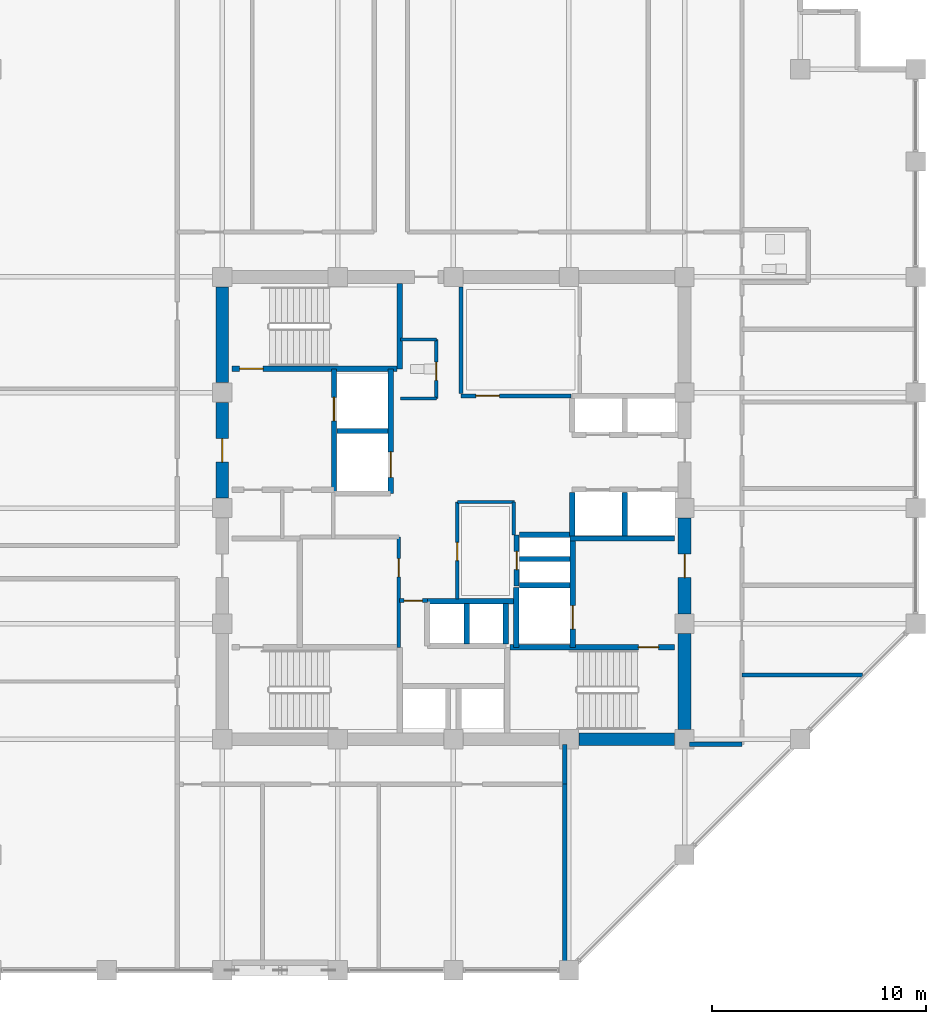
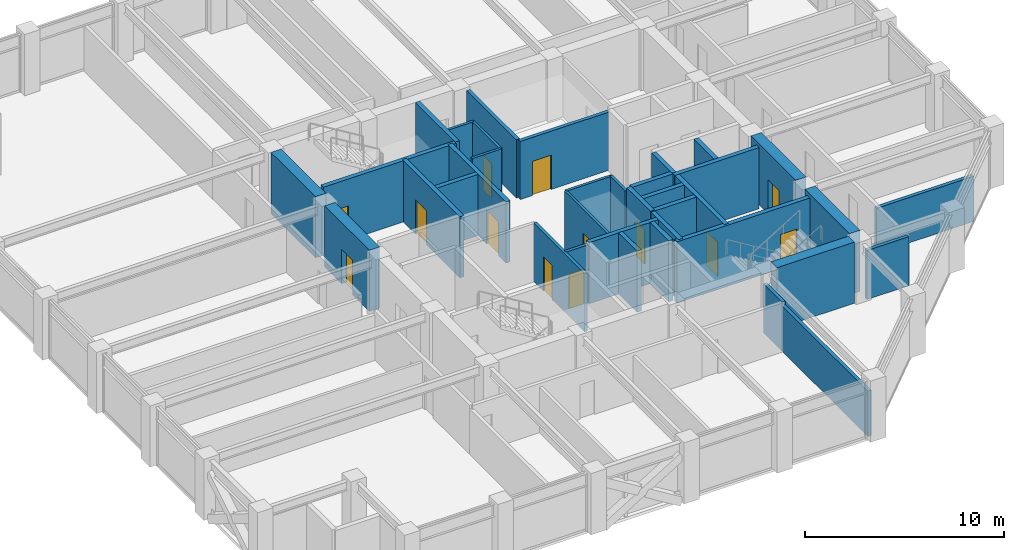
# One storey, part 28 of 32: 37 walls, 13 doors, 13 openings.
"""IFC4 building model written with IfcOpenShell, lengths in metres."""

from ifc_helpers import new_model, si_unit, direction, frame, frame_2d, origin, place, context, subcontext, project, spatial, rectangle, extrude, material, layer, layer_set, type_object, element, fill, save


model = new_model("IFC4")

# Units and contexts
model_context = context("Model", 3, precision=1e-05, world=origin(), true_north=direction((0.0, 1.0)))
body_context = subcontext(model_context, "Body", "Model", "MODEL_VIEW")
ifc_project = project(units=[si_unit("LENGTHUNIT", "METRE"), si_unit("AREAUNIT", "SQUARE_METRE"), si_unit("VOLUMEUNIT", "CUBIC_METRE"), si_unit("PLANEANGLEUNIT", "RADIAN"), si_unit("MASSUNIT", "GRAM", prefix="KILO")], contexts=[model_context])

# Site, building, storey
site_placement = place(None, origin())
site = spatial("IfcSite", under=ifc_project, at=site_placement, CompositionType="ELEMENT")
building_placement = place(site_placement, origin())
building = spatial("IfcBuilding", under=site, at=building_placement, Name="Surkhivell Harbour Commons", CompositionType="ELEMENT")
storey_placement = place(building_placement, frame((0.0, 0.0, 208.5)))
storey = spatial("IfcBuildingStorey", under=building, at=storey_placement, Name="L54", CompositionType="ELEMENT", Elevation=208.5)

# Wall
ifc_material_1 = material(Name="Concrete C60/75", Category="concrete")
ifc_layer_1 = layer(ifc_material_1, 0.60009765625)
ifc_layer_set_1 = layer_set([ifc_layer_1], Name="Concrete C60/75")
wall_type_1 = type_object("IfcWallType", Name="WAL-CORE-600", PredefinedType="SHEAR", material=ifc_layer_set_1)
wall_1_placement = place(storey_placement, frame((10.800048828125, -10.340087890625, 0.0), z_axis=(0.0, 0.0, 1.0), x_axis=(0.0, 1.0, 0.0)))
element("IfcWall", 1, at=wall_1_placement, inside=storey, type_object=wall_type_1, Name="L54 Core Shear Wall East 1", PredefinedType="SHEAR", context=body_context, shape_type="SweptSolid", body=[
    extrude(rectangle(XDim=4.47998046875, YDim=0.60009765625, at=frame_2d((2.239990234375, 0.0))), origin(), (0.0, 0.0, 1.0), 3.75),
])

# Wall, opening, door
wall_2_placement = place(storey_placement, frame((10.800048828125, -4.93994140625, 0.0), z_axis=(0.0, 0.0, 1.0), x_axis=(0.0, 1.0, 0.0)))
wall_2 = element("IfcWall", 2, at=wall_2_placement, inside=storey, type_object=wall_type_1, Name="L54 Core Shear Wall East 2", PredefinedType="SHEAR", context=body_context, shape_type="SweptSolid", body=[
    extrude(rectangle(XDim=4.47998046875, YDim=0.60009765625, at=frame_2d((2.239990234375, 0.0))), origin(), (0.0, 0.0, 1.0), 3.75),
])
opening_1_placement = place(wall_2_placement, frame((1.68994140625, 0.0, 0.0)))
opening_1 = element("IfcOpeningElement", 3, at=opening_1_placement, cuts=wall_2, Name="Opening ID-1", PredefinedType="OPENING", context=body_context, shape_type="SweptSolid", body=[
    extrude(rectangle(XDim=1.10009765625, YDim=2.10009765625, at=frame_2d((0.550048828125, 1.050048828125))), frame((0.0, 0.31005859375, 0.0), z_axis=(0.0, -1.0, 0.0), x_axis=(1.0, 0.0, 0.0)), (0.0, 0.0, 1.0), 0.6201171875),
])
ifc_material_2 = material(Name="Hardwood-veneered fire-rated door leaf", Category="wood")
door_type_1 = type_object("IfcDoorType", Name="DOR-FD120-1100", OperationType="NOTDEFINED", PredefinedType="DOOR", material=ifc_material_2)
door_1_placement = place(opening_1_placement, origin())
door_1 = element("IfcDoor", 4, at=door_1_placement, inside=storey, type_object=door_type_1, Name="L54 Firefighting Lobby 2 Corridor Door", OperationType="SINGLE_SWING_RIGHT", OverallHeight=2.10009765625, OverallWidth=1.10009765625, PredefinedType="DOOR", context=body_context, shape_type="SweptSolid", body=[
    extrude(rectangle(XDim=1.10009765625, YDim=2.10009765625, at=frame_2d((0.550048828125, 1.050048828125))), frame((0.0, 0.02490234375, 0.0), z_axis=(0.0, -1.0, 0.0), x_axis=(1.0, 0.0, 0.0)), (0.0, 0.0, 1.0), 0.050048828125),
])
fill(opening_1, door_1)

wall_3_placement = place(storey_placement, frame((-10.800048828125, 0.4599609375, 0.0), z_axis=(0.0, 0.0, 1.0), x_axis=(0.0, 1.0, 0.0)))
wall_3 = element("IfcWall", 5, at=wall_3_placement, inside=storey, type_object=wall_type_1, Name="L54 Core Shear Wall West 3", PredefinedType="SHEAR", context=body_context, shape_type="SweptSolid", body=[
    extrude(rectangle(XDim=4.47998046875, YDim=0.60009765625, at=frame_2d((2.239990234375, 0.0))), origin(), (0.0, 0.0, 1.0), 3.75),
])
opening_2_placement = place(wall_3_placement, frame((1.68994140625, 0.0, 0.0)))
opening_2 = element("IfcOpeningElement", 6, at=opening_2_placement, cuts=wall_3, Name="Opening ID-1", PredefinedType="OPENING", context=body_context, shape_type="SweptSolid", body=[
    extrude(rectangle(XDim=1.10009765625, YDim=2.10009765625, at=frame_2d((0.550048828125, 1.050048828125))), frame((0.0, 0.31005859375, 0.0), z_axis=(0.0, -1.0, 0.0), x_axis=(1.0, 0.0, 0.0)), (0.0, 0.0, 1.0), 0.6201171875),
])
door_2_placement = place(opening_2_placement, origin())
door_2 = element("IfcDoor", 7, at=door_2_placement, inside=storey, type_object=door_type_1, Name="L54 Firefighting Lobby 1 Corridor Door", OperationType="SINGLE_SWING_LEFT", OverallHeight=2.10009765625, OverallWidth=1.10009765625, PredefinedType="DOOR", context=body_context, shape_type="SweptSolid", body=[
    extrude(rectangle(XDim=1.10009765625, YDim=2.10009765625, at=frame_2d((0.550048828125, 1.050048828125))), frame((0.0, 0.02490234375, 0.0), z_axis=(0.0, -1.0, 0.0), x_axis=(1.0, 0.0, 0.0)), (0.0, 0.0, 1.0), 0.050048828125),
])
fill(opening_2, door_2)

# Walls
for number, where, z_axis, x_axis, name in (
    (8, (5.860107421875, -10.800048828125, 0.0), (0.0, 0.0, 1.0), (1.0, 0.0, 0.0), "L54 Core Shear Wall South 4"),
    (9, (-10.800048828125, 5.860107421875, 0.0), (0.0, 0.0, 1.0), (0.0, 1.0, 0.0), "L54 Core Shear Wall West 4"),
):
    element("IfcWall", number, at=place(storey_placement, frame(where, z_axis=z_axis, x_axis=x_axis)), inside=storey, type_object=wall_type_1, Name=name, PredefinedType="SHEAR", context=body_context, shape_type="SweptSolid", body=[
        extrude(rectangle(XDim=4.47998046875, YDim=0.60009765625, at=frame_2d((2.239990234375, 0.0))), origin(), (0.0, 0.0, 1.0), 3.75),
    ])

# Wall, opening, door
ifc_material_3 = material(Name="Twin-stud acoustic fireboard partition", Category="other")
ifc_layer_2 = layer(ifc_material_3, 0.14990234375)
ifc_layer_set_2 = layer_set([ifc_layer_2], Name="Twin-stud acoustic fireboard partition")
wall_type_2 = type_object("IfcWallType", Name="WAL-INT-150", PredefinedType="PARTITIONING", material=ifc_layer_set_2)
wall_4_placement = place(storey_placement, frame((-0.800048828125, 5.1201171875, 0.0), z_axis=(0.0, 0.0, 1.0), x_axis=(0.0, 1.0, 0.0)))
wall_4 = element("IfcWall", 10, at=wall_4_placement, inside=storey, type_object=wall_type_2, Name="L54 Core Accessible WC East Wall", PredefinedType="PARTITIONING", context=body_context, shape_type="SweptSolid", body=[
    extrude(rectangle(XDim=2.759765625, YDim=0.14990234375, at=frame_2d((1.3798828125, 0.0))), origin(), (0.0, 0.0, 1.0), 3.570068359375),
])
opening_3_placement = place(wall_4_placement, frame((0.85009765625, 0.0, 0.0)))
opening_3 = element("IfcOpeningElement", 11, at=opening_3_placement, cuts=wall_4, Name="Opening ID-6", PredefinedType="OPENING", context=body_context, shape_type="SweptSolid", body=[
    extrude(rectangle(XDim=0.85009765625, YDim=2.10009765625, at=frame_2d((0.425048828125, 1.050048828125))), frame((0.0, 0.0849609375, 0.0), z_axis=(0.0, -1.0, 0.0), x_axis=(1.0, 0.0, 0.0)), (0.0, 0.0, 1.0), 0.169921875),
])
door_type_2 = type_object("IfcDoorType", Name="DOR-FD30-850", OperationType="NOTDEFINED", PredefinedType="DOOR", material=ifc_material_2)
door_3_placement = place(opening_3_placement, origin())
door_3 = element("IfcDoor", 12, at=door_3_placement, inside=storey, type_object=door_type_2, Name="L54 Floor Accessible WC Door", OperationType="SINGLE_SWING_LEFT", OverallHeight=2.10009765625, OverallWidth=0.85009765625, PredefinedType="DOOR", context=body_context, shape_type="SweptSolid", body=[
    extrude(rectangle(XDim=0.85009765625, YDim=2.10009765625, at=frame_2d((0.425048828125, 1.050048828125))), frame((0.0, 0.02490234375, 0.0), z_axis=(0.0, -1.0, 0.0), x_axis=(1.0, 0.0, 0.0)), (0.0, 0.0, 1.0), 0.050048828125),
])
fill(opening_3, door_3)

# Walls
for number, where, z_axis, x_axis, name in (
    (13, (-2.47998046875, 7.8798828125, 0.0), (0.0, 0.0, 1.0), (1.0, 0.0, 0.0), "L54 Core Accessible WC North Wall"),
    (14, (-2.47998046875, 5.1201171875, 0.0), (0.0, 0.0, 1.0), (1.0, 0.0, 0.0), "L54 Core Accessible WC South Wall"),
):
    element("IfcWall", number, at=place(storey_placement, frame(where, z_axis=z_axis, x_axis=x_axis)), inside=storey, type_object=wall_type_2, Name=name, PredefinedType="PARTITIONING", context=body_context, shape_type="SweptSolid", body=[
        extrude(rectangle(XDim=1.679931640625, YDim=0.14990234375, at=frame_2d((0.83984375, 0.0))), origin(), (0.0, 0.0, 1.0), 3.570068359375),
    ])
wall_5_placement = place(storey_placement, frame((2.820068359375, -1.25, 0.0), z_axis=(0.0, 0.0, 1.0), x_axis=(0.0, 1.0, 0.0)))
element("IfcWall", 15, at=wall_5_placement, inside=storey, type_object=wall_type_2, Name="L54 Central Music East Wall", PredefinedType="PARTITIONING", context=body_context, shape_type="SweptSolid", body=[
    extrude(rectangle(XDim=1.530029296875, YDim=0.14990234375, at=frame_2d((0.76513671875, 0.0))), origin(), (0.0, 0.0, 1.0), 3.570068359375),
])
wall_6_placement = place(storey_placement, frame((0.179931640625, 0.280029296875, 0.0), z_axis=(0.0, 0.0, 1.0), x_axis=(1.0, 0.0, 0.0)))
element("IfcWall", 16, at=wall_6_placement, inside=storey, type_object=wall_type_2, Name="L54 Central Music North Wall", PredefinedType="PARTITIONING", context=body_context, shape_type="SweptSolid", body=[
    extrude(rectangle(XDim=2.670166015625, YDim=0.14990234375, at=frame_2d((1.3349609375, 0.0))), origin(), (0.0, 0.0, 1.0), 3.570068359375),
])

# Wall, opening, door
wall_7_placement = place(storey_placement, frame((0.179931640625, -4.25, 0.0), z_axis=(0.0, 0.0, 1.0), x_axis=(0.0, 1.0, 0.0)))
wall_7 = element("IfcWall", 17, at=wall_7_placement, inside=storey, type_object=wall_type_2, Name="L54 Central Music West Wall", PredefinedType="PARTITIONING", context=body_context, shape_type="SweptSolid", body=[
    extrude(rectangle(XDim=4.530029296875, YDim=0.14990234375, at=frame_2d((2.26513671875, 0.0))), origin(), (0.0, 0.0, 1.0), 3.570068359375),
])
opening_4_placement = place(wall_7_placement, frame((1.800048828125, 0.0, 0.0)))
opening_4 = element("IfcOpeningElement", 18, at=opening_4_placement, cuts=wall_7, Name="Opening ID-6", PredefinedType="OPENING", context=body_context, shape_type="SweptSolid", body=[
    extrude(rectangle(XDim=0.85009765625, YDim=2.10009765625, at=frame_2d((0.425048828125, 1.050048828125))), frame((0.0, 0.0849609375, 0.0), z_axis=(0.0, -1.0, 0.0), x_axis=(1.0, 0.0, 0.0)), (0.0, 0.0, 1.0), 0.169921875),
])
door_4_placement = place(opening_4_placement, origin())
door_4 = element("IfcDoor", 19, at=door_4_placement, inside=storey, type_object=door_type_2, Name="L54 Central Music Door", OperationType="SINGLE_SWING_RIGHT", OverallHeight=2.10009765625, OverallWidth=0.85009765625, PredefinedType="DOOR", context=body_context, shape_type="SweptSolid", body=[
    extrude(rectangle(XDim=0.85009765625, YDim=2.10009765625, at=frame_2d((0.425048828125, 1.050048828125))), frame((0.0, 0.02490234375, 0.0), z_axis=(0.0, -1.0, 0.0), x_axis=(1.0, 0.0, 0.0)), (0.0, 0.0, 1.0), 0.050048828125),
])
fill(opening_4, door_4)

ifc_material_4 = material(Name="High-density acoustic blockwork fire partition", Category="masonry")
ifc_layer_3 = layer(ifc_material_4, 0.175048828125)
ifc_layer_set_3 = layer_set([ifc_layer_3], Name="High-density acoustic blockwork fire partition")
wall_type_3 = type_object("IfcWallType", Name="WAL-INT-175", PredefinedType="PARTITIONING", material=ifc_layer_set_3)
wall_8_placement = place(storey_placement, frame((-2.550048828125, -6.510009765625, 0.0), z_axis=(0.0, 0.0, 1.0), x_axis=(0.0, 1.0, 0.0)))
wall_8 = element("IfcWall", 20, at=wall_8_placement, inside=storey, type_object=wall_type_3, Name="L54 Core Service Bay East Wall", PredefinedType="PARTITIONING", context=body_context, shape_type="SweptSolid", body=[
    extrude(rectangle(XDim=5.159912109375, YDim=0.175048828125, at=frame_2d((2.580078125, 0.0))), origin(), (0.0, 0.0, 1.0), 3.570068359375),
])
opening_5_placement = place(wall_8_placement, frame((3.300048828125, 0.0, 0.0)))
opening_5 = element("IfcOpeningElement", 21, at=opening_5_placement, cuts=wall_8, Name="Opening ID-6", PredefinedType="OPENING", context=body_context, shape_type="SweptSolid", body=[
    extrude(rectangle(XDim=0.85009765625, YDim=2.10009765625, at=frame_2d((0.425048828125, 1.050048828125))), frame((0.0, 0.097412109375, 0.0), z_axis=(0.0, -1.0, 0.0), x_axis=(1.0, 0.0, 0.0)), (0.0, 0.0, 1.0), 0.195068359375),
])
door_5_placement = place(opening_5_placement, origin())
door_5 = element("IfcDoor", 22, at=door_5_placement, inside=storey, type_object=door_type_2, Name="L54 Core Quiet Reading Door", OperationType="SINGLE_SWING_RIGHT", OverallHeight=2.10009765625, OverallWidth=0.85009765625, PredefinedType="DOOR", context=body_context, shape_type="SweptSolid", body=[
    extrude(rectangle(XDim=0.85009765625, YDim=2.10009765625, at=frame_2d((0.425048828125, 1.050048828125))), frame((0.0, 0.02490234375, 0.0), z_axis=(0.0, -1.0, 0.0), x_axis=(1.0, 0.0, 0.0)), (0.0, 0.0, 1.0), 0.050048828125),
])
fill(opening_5, door_5)

wall_9_placement = place(storey_placement, frame((-2.52001953125, -4.320068359375, 0.0), z_axis=(0.0, 0.0, 1.0), x_axis=(1.0, 0.0, 0.0)))
wall_9 = element("IfcWall", 23, at=wall_9_placement, inside=storey, type_object=wall_type_3, Name="L54 High-Rise Lobby North Portal Wall", PredefinedType="PARTITIONING", context=body_context, shape_type="SweptSolid", body=[
    extrude(rectangle(XDim=1.300048828125, YDim=0.175048828125, at=frame_2d((0.64990234375, 0.0))), origin(), (0.0, 0.0, 1.0), 3.570068359375),
])
opening_6_placement = place(wall_9_placement, frame((0.219970703125, 0.0, 0.0)))
opening_6 = element("IfcOpeningElement", 24, at=opening_6_placement, cuts=wall_9, Name="Opening ID-6", PredefinedType="OPENING", context=body_context, shape_type="SweptSolid", body=[
    extrude(rectangle(XDim=0.85009765625, YDim=2.10009765625, at=frame_2d((0.425048828125, 1.050048828125))), frame((0.0, 0.097412109375, 0.0), z_axis=(0.0, -1.0, 0.0), x_axis=(1.0, 0.0, 0.0)), (0.0, 0.0, 1.0), 0.195068359375),
])
door_6_placement = place(opening_6_placement, origin())
door_6 = element("IfcDoor", 25, at=door_6_placement, inside=storey, type_object=door_type_2, Name="L54 High-Rise Lift Lobby North Door", OperationType="SINGLE_SWING_LEFT", OverallHeight=2.10009765625, OverallWidth=0.85009765625, PredefinedType="DOOR", context=body_context, shape_type="SweptSolid", body=[
    extrude(rectangle(XDim=0.85009765625, YDim=2.10009765625, at=frame_2d((0.425048828125, 1.050048828125))), frame((0.0, 0.02490234375, 0.0), z_axis=(0.0, -1.0, 0.0), x_axis=(1.0, 0.0, 0.0)), (0.0, 0.0, 1.0), 0.050048828125),
])
fill(opening_6, door_6)

ifc_material_5 = material(Name="Autoclaved aerated concrete blockwork and fire plaster", Category="masonry")
ifc_layer_4 = layer(ifc_material_5, 0.199951171875)
ifc_layer_set_4 = layer_set([ifc_layer_4], Name="Autoclaved aerated concrete blockwork and fire plaster")
wall_type_4 = type_object("IfcWallType", Name="WAL-INT-200", PredefinedType="PARTITIONING", material=ifc_layer_set_4)
wall_10_placement = place(storey_placement, frame((0.35009765625, 5.239990234375, 0.0), z_axis=(0.0, 0.0, 1.0), x_axis=(1.0, 0.0, 0.0)))
wall_10 = element("IfcWall", 26, at=wall_10_placement, inside=storey, type_object=wall_type_4, Name="L54 Reclaimed Core North Bay South Wall", PredefinedType="PARTITIONING", context=body_context, shape_type="SweptSolid", body=[
    extrude(rectangle(XDim=5.14990234375, YDim=0.199951171875, at=frame_2d((2.574951171875, 0.0))), origin(), (0.0, 0.0, 1.0), 3.570068359375),
])
opening_7_placement = place(wall_10_placement, frame((0.699951171875, 0.0, 0.0)))
opening_7 = element("IfcOpeningElement", 27, at=opening_7_placement, cuts=wall_10, Name="Opening ID-2", PredefinedType="OPENING", context=body_context, shape_type="SweptSolid", body=[
    extrude(rectangle(XDim=1.10009765625, YDim=2.10009765625, at=frame_2d((0.550048828125, 1.050048828125))), frame((0.0, 0.10986328125, 0.0), z_axis=(0.0, -1.0, 0.0), x_axis=(1.0, 0.0, 0.0)), (0.0, 0.0, 1.0), 0.219970703125),
])
door_type_3 = type_object("IfcDoorType", Name="DOR-FD60-1100", OperationType="NOTDEFINED", PredefinedType="DOOR", material=ifc_material_2)
door_7_placement = place(opening_7_placement, origin())
door_7 = element("IfcDoor", 28, at=door_7_placement, inside=storey, type_object=door_type_3, Name="L54 Core Seminar Door", OperationType="SINGLE_SWING_LEFT", OverallHeight=2.10009765625, OverallWidth=1.10009765625, PredefinedType="DOOR", context=body_context, shape_type="SweptSolid", body=[
    extrude(rectangle(XDim=1.10009765625, YDim=2.10009765625, at=frame_2d((0.550048828125, 1.050048828125))), frame((0.0, 0.02490234375, 0.0), z_axis=(0.0, -1.0, 0.0), x_axis=(1.0, 0.0, 0.0)), (0.0, 0.0, 1.0), 0.050048828125),
])
fill(opening_7, door_7)

# Walls
wall_11_placement = place(storey_placement, frame((0.35009765625, 5.360107421875, 0.0), z_axis=(0.0, 0.0, 1.0), x_axis=(0.0, 1.0, 0.0)))
element("IfcWall", 29, at=wall_11_placement, inside=storey, type_object=wall_type_4, Name="L54 Reclaimed Core North Bay West Wall", PredefinedType="PARTITIONING", context=body_context, shape_type="SweptSolid", body=[
    extrude(rectangle(XDim=4.97998046875, YDim=0.199951171875, at=frame_2d((2.489990234375, 0.0))), origin(), (0.0, 0.0, 1.0), 3.570068359375),
])
wall_12_placement = place(storey_placement, frame((5.199951171875, -21.5400390625, 0.0), z_axis=(0.0, 0.0, 1.0), x_axis=(0.0, 1.0, 0.0)))
element("IfcWall", 30, at=wall_12_placement, inside=storey, type_object=wall_type_4, Name="L54 South-East Corner Wall", PredefinedType="PARTITIONING", context=body_context, shape_type="SweptSolid", body=[
    extrude(rectangle(XDim=8.64013671875, YDim=0.199951171875, at=frame_2d((4.320068359375, 0.0))), origin(), (0.0, 0.0, 1.0), 2.780029296875),
])
wall_13_placement = place(storey_placement, frame((11.0400390625, -11.0400390625, 0.0), z_axis=(0.0, 0.0, 1.0), x_axis=(1.0, 0.0, 0.0)))
element("IfcWall", 31, at=wall_13_placement, inside=storey, type_object=wall_type_4, Name="L54 Corridor East South Closure Wall", PredefinedType="PARTITIONING", context=body_context, shape_type="SweptSolid", body=[
    extrude(rectangle(XDim=2.43994140625, YDim=0.199951171875, at=frame_2d((1.219970703125, 0.0))), origin(), (0.0, 0.0, 1.0), 3.006103515625),
])
wall_14_placement = place(storey_placement, frame((5.199951171875, -12.89990234375, 0.0), z_axis=(0.0, 0.0, 1.0), x_axis=(0.0, 1.0, 0.0)))
element("IfcWall", 32, at=wall_14_placement, inside=storey, type_object=wall_type_4, Name="L54 Corridor South End Wall", PredefinedType="PARTITIONING", context=body_context, shape_type="SweptSolid", body=[
    extrude(rectangle(XDim=1.85986328125, YDim=0.199951171875, at=frame_2d((0.929931640625, 0.0))), origin(), (0.0, 0.0, 1.0), 3.006103515625),
])
wall_15_placement = place(storey_placement, frame((13.47998046875, -7.800048828125, 0.0), z_axis=(0.0, 0.0, 1.0), x_axis=(1.0, 0.0, 0.0)))
element("IfcWall", 33, at=wall_15_placement, inside=storey, type_object=wall_type_4, Name="L54 East Partition PBOT", PredefinedType="PARTITIONING", context=body_context, shape_type="SweptSolid", body=[
    extrude(rectangle(XDim=5.63525390625, YDim=0.199951171875, at=frame_2d((2.817626953125, 0.0))), origin(), (0.0, 0.0, 1.0), 2.780029296875),
])

# Wall, opening, door
ifc_material_6 = material(Name="Concrete C50/60", Category="concrete")
ifc_layer_5 = layer(ifc_material_6, 0.25)
ifc_layer_set_5 = layer_set([ifc_layer_5], Name="Concrete C50/60")
wall_type_5 = type_object("IfcWallType", Name="WAL-SHAFT-250", PredefinedType="SHEAR", material=ifc_layer_set_5)
wall_16_placement = place(storey_placement, frame((-5.580078125, 0.719970703125, 0.0), z_axis=(0.0, 0.0, 1.0), x_axis=(0.0, 1.0, 0.0)))
wall_16 = element("IfcWall", 34, at=wall_16_placement, inside=storey, type_object=wall_type_5, Name="L54 Firefighting Lobby 1 East Shaft Wall", PredefinedType="SHEAR", context=body_context, shape_type="SweptSolid", body=[
    extrude(rectangle(XDim=5.7900390625, YDim=0.25, at=frame_2d((2.89501953125, 0.0))), origin(), (0.0, 0.0, 1.0), 3.75),
])
opening_8_placement = place(wall_16_placement, frame((3.35009765625, 0.0, 0.0)))
opening_8 = element("IfcOpeningElement", 35, at=opening_8_placement, cuts=wall_16, Name="Opening LD-1", PredefinedType="OPENING", context=body_context, shape_type="SweptSolid", body=[
    extrude(rectangle(XDim=1.10009765625, YDim=2.10009765625, at=frame_2d((0.550048828125, 1.050048828125))), frame((0.0, 0.135009765625, 0.0), z_axis=(0.0, -1.0, 0.0), x_axis=(1.0, 0.0, 0.0)), (0.0, 0.0, 1.0), 0.27001953125),
])
ifc_material_7 = material(Name="Brushed stainless steel S355", Category="steel")
door_type_4 = type_object("IfcDoorType", Name="DOR-LD-1100", OperationType="SLIDING_TO_LEFT", PredefinedType="DOOR", material=ifc_material_7)
door_8_placement = place(opening_8_placement, origin())
door_8 = element("IfcDoor", 36, at=door_8_placement, inside=storey, type_object=door_type_4, Name="L54 Lift Landing Door LD-FFL1", OperationType="SLIDING_TO_LEFT", OverallHeight=2.10009765625, OverallWidth=1.10009765625, PredefinedType="DOOR", context=body_context, shape_type="SweptSolid", body=[
    extrude(rectangle(XDim=1.10009765625, YDim=2.10009765625, at=frame_2d((0.550048828125, 1.050048828125))), frame((0.0, 0.02490234375, 0.0), z_axis=(0.0, -1.0, 0.0), x_axis=(1.0, 0.0, 0.0)), (0.0, 0.0, 1.0), 0.050048828125),
])
fill(opening_8, door_8)

# Walls
wall_17_placement = place(storey_placement, frame((2.929931640625, -6.510009765625, 0.0), z_axis=(0.0, 0.0, 1.0), x_axis=(0.0, 1.0, 0.0)))
element("IfcWall", 37, at=wall_17_placement, inside=storey, type_object=wall_type_5, Name="L54 FFL2 West Shaft Wall", PredefinedType="SHEAR", context=body_context, shape_type="SweptSolid", body=[
    extrude(rectangle(XDim=2.7900390625, YDim=0.25, at=frame_2d((1.39501953125, 0.0))), origin(), (0.0, 0.0, 1.0), 3.75),
])
wall_18_placement = place(storey_placement, frame((5.43994140625, -1.419921875, 0.0), z_axis=(0.0, 0.0, 1.0), x_axis=(1.0, 0.0, 0.0)))
element("IfcWall", 38, at=wall_18_placement, inside=storey, type_object=wall_type_5, Name="L54 Firefighting Lobby 2 North Wall", PredefinedType="SHEAR", context=body_context, shape_type="SweptSolid", body=[
    extrude(rectangle(XDim=4.900146484375, YDim=0.25, at=frame_2d((2.4501953125, 0.0))), origin(), (0.0, 0.0, 1.0), 3.75),
])
wall_19_placement = place(storey_placement, frame((3.080078125, -3.60009765625, 0.0), z_axis=(0.0, 0.0, 1.0), x_axis=(1.0, 0.0, 0.0)))
element("IfcWall", 39, at=wall_19_placement, inside=storey, type_object=wall_type_5, Name="L54 FFL2 North Shaft Wall", PredefinedType="SHEAR", context=body_context, shape_type="SweptSolid", body=[
    extrude(rectangle(XDim=2.369873046875, YDim=0.25, at=frame_2d((1.18505859375, 0.0))), origin(), (0.0, 0.0, 1.0), 3.75),
])

# Wall, opening, door
wall_20_placement = place(storey_placement, frame((5.580078125, -6.510009765625, 0.0), z_axis=(0.0, 0.0, 1.0), x_axis=(0.0, 1.0, 0.0)))
wall_20 = element("IfcWall", 40, at=wall_20_placement, inside=storey, type_object=wall_type_5, Name="L54 Firefighting Lobby 2 West Shaft Wall", PredefinedType="SHEAR", context=body_context, shape_type="SweptSolid", body=[
    extrude(rectangle(XDim=5.090087890625, YDim=0.25, at=frame_2d((2.544921875, 0.0))), origin(), (0.0, 0.0, 1.0), 3.75),
])
opening_9_placement = place(wall_20_placement, frame((0.85009765625, 0.0, 0.0)))
opening_9 = element("IfcOpeningElement", 41, at=opening_9_placement, cuts=wall_20, Name="Opening LD-1", PredefinedType="OPENING", context=body_context, shape_type="SweptSolid", body=[
    extrude(rectangle(XDim=1.10009765625, YDim=2.10009765625, at=frame_2d((0.550048828125, 1.050048828125))), frame((0.0, 0.135009765625, 0.0), z_axis=(0.0, -1.0, 0.0), x_axis=(1.0, 0.0, 0.0)), (0.0, 0.0, 1.0), 0.27001953125),
])
door_9_placement = place(opening_9_placement, origin())
door_9 = element("IfcDoor", 42, at=door_9_placement, inside=storey, type_object=door_type_4, Name="L54 Lift Landing Door LD-FFL2", OperationType="SLIDING_TO_RIGHT", OverallHeight=2.10009765625, OverallWidth=1.10009765625, PredefinedType="DOOR", context=body_context, shape_type="SweptSolid", body=[
    extrude(rectangle(XDim=1.10009765625, YDim=2.10009765625, at=frame_2d((0.550048828125, 1.050048828125))), frame((0.0, 0.02490234375, 0.0), z_axis=(0.0, -1.0, 0.0), x_axis=(1.0, 0.0, 0.0)), (0.0, 0.0, 1.0), 0.050048828125),
])
fill(opening_9, door_9)

# Walls
for number, where, z_axis, x_axis, name in (
    (43, (0.6201171875, -6.340087890625, 0.0), (0.0, 0.0, 1.0), (0.0, 1.0, 0.0), "L54 High-Rise Side Wall N"),
    (44, (2.449951171875, -6.340087890625, 0.0), (0.0, 0.0, 1.0), (0.0, 1.0, 0.0), "L54 High-Rise Side Wall N"),
):
    element("IfcWall", number, at=place(storey_placement, frame(where, z_axis=z_axis, x_axis=x_axis)), inside=storey, type_object=wall_type_5, Name=name, PredefinedType="SHEAR", context=body_context, shape_type="SweptSolid", body=[
        extrude(rectangle(XDim=1.880126953125, YDim=0.25, at=frame_2d((0.93994140625, 0.0))), origin(), (0.0, 0.0, 1.0), 3.75),
    ])
wall_21_placement = place(storey_placement, frame((-1.219970703125, -4.360107421875, 0.0), z_axis=(0.0, 0.0, 1.0), x_axis=(1.0, 0.0, 0.0)))
element("IfcWall", 45, at=wall_21_placement, inside=storey, type_object=wall_type_5, Name="L54 High-Rise North Back Shaft Wall", PredefinedType="SHEAR", context=body_context, shape_type="SweptSolid", body=[
    extrude(rectangle(XDim=4.030029296875, YDim=0.25, at=frame_2d((2.01513671875, 0.0))), origin(), (0.0, 0.0, 1.0), 3.75),
])
for number, where, z_axis, x_axis, name in (
    (46, (5.550048828125, -1.300048828125, 0.0), (0.0, 0.0, 1.0), (0.0, 1.0, 0.0), "L54 Mid-Rise Shaft Side Wall S"),
    (47, (8.0, -1.300048828125, 0.0), (0.0, 0.0, 1.0), (0.0, 1.0, 0.0), "L54 Mid-Rise Shaft Side Wall S"),
):
    element("IfcWall", number, at=place(storey_placement, frame(where, z_axis=z_axis, x_axis=x_axis)), inside=storey, type_object=wall_type_5, Name=name, PredefinedType="SHEAR", context=body_context, shape_type="SweptSolid", body=[
        extrude(rectangle(XDim=2.0400390625, YDim=0.25, at=frame_2d((1.02001953125, 0.0))), origin(), (0.0, 0.0, 1.0), 3.75),
    ])
for number, where, z_axis, x_axis, name in (
    (48, (3.080078125, -2.3798828125, 0.0), (0.0, 0.0, 1.0), (1.0, 0.0, 0.0), "L54 Riser Divider Wall"),
    (49, (3.080078125, -1.25, 0.0), (0.0, 0.0, 1.0), (1.0, 0.0, 0.0), "L54 Riser North Wall"),
):
    element("IfcWall", number, at=place(storey_placement, frame(where, z_axis=z_axis, x_axis=x_axis)), inside=storey, type_object=wall_type_5, Name=name, PredefinedType="SHEAR", context=body_context, shape_type="SweptSolid", body=[
        extrude(rectangle(XDim=2.369873046875, YDim=0.25, at=frame_2d((1.18505859375, 0.0))), origin(), (0.0, 0.0, 1.0), 3.75),
    ])

# Wall, opening, door
wall_22_placement = place(storey_placement, frame((2.949951171875, -3.64990234375, 0.0), z_axis=(0.0, 0.0, 1.0), x_axis=(0.0, 1.0, 0.0)))
wall_22 = element("IfcWall", 50, at=wall_22_placement, inside=storey, type_object=wall_type_5, Name="L54 Riser Shaft West Wall", PredefinedType="SHEAR", context=body_context, shape_type="SweptSolid", body=[
    extrude(rectangle(XDim=2.39990234375, YDim=0.25, at=frame_2d((1.199951171875, 0.0))), origin(), (0.0, 0.0, 1.0), 3.75),
])
opening_10_placement = place(wall_22_placement, frame((0.77490234375, 0.0, 0.0)))
opening_10 = element("IfcOpeningElement", 51, at=opening_10_placement, cuts=wall_22, Name="Opening ID-6", PredefinedType="OPENING", context=body_context, shape_type="SweptSolid", body=[
    extrude(rectangle(XDim=0.85009765625, YDim=2.10009765625, at=frame_2d((0.425048828125, 1.050048828125))), frame((0.0, 0.135009765625, 0.0), z_axis=(0.0, -1.0, 0.0), x_axis=(1.0, 0.0, 0.0)), (0.0, 0.0, 1.0), 0.27001953125),
])
door_10_placement = place(opening_10_placement, origin())
door_10 = element("IfcDoor", 52, at=door_10_placement, inside=storey, type_object=door_type_2, Name="L54 Electrical Riser Access Door", OperationType="SINGLE_SWING_LEFT", OverallHeight=2.10009765625, OverallWidth=0.85009765625, PredefinedType="DOOR", context=body_context, shape_type="SweptSolid", body=[
    extrude(rectangle(XDim=0.85009765625, YDim=2.10009765625, at=frame_2d((0.425048828125, 1.050048828125))), frame((0.0, 0.02490234375, 0.0), z_axis=(0.0, -1.0, 0.0), x_axis=(1.0, 0.0, 0.0)), (0.0, 0.0, 1.0), 0.050048828125),
])
fill(opening_10, door_10)

# Wall
wall_23_placement = place(storey_placement, frame((-2.510009765625, 6.510009765625, 0.0), z_axis=(0.0, 0.0, 1.0), x_axis=(0.0, 1.0, 0.0)))
element("IfcWall", 53, at=wall_23_placement, inside=storey, type_object=wall_type_5, Name="L54 Stair ST1 East Shear Wall", PredefinedType="SHEAR", context=body_context, shape_type="SweptSolid", body=[
    extrude(rectangle(XDim=3.989990234375, YDim=0.25, at=frame_2d((1.9951171875, 0.0))), origin(), (0.0, 0.0, 1.0), 3.75),
])

# Wall, opening, door
wall_24_placement = place(storey_placement, frame((-10.340087890625, 6.510009765625, 0.0), z_axis=(0.0, 0.0, 1.0), x_axis=(1.0, 0.0, 0.0)))
wall_24 = element("IfcWall", 54, at=wall_24_placement, inside=storey, type_object=wall_type_5, Name="L54 Stair ST1 South Shear Wall", PredefinedType="SHEAR", context=body_context, shape_type="SweptSolid", body=[
    extrude(rectangle(XDim=7.7001953125, YDim=0.25, at=frame_2d((3.85009765625, 0.0))), origin(), (0.0, 0.0, 1.0), 3.75),
])
opening_11_placement = place(wall_24_placement, frame((0.35009765625, 0.0, 0.0)))
opening_11 = element("IfcOpeningElement", 55, at=opening_11_placement, cuts=wall_24, Name="Opening ID-2", PredefinedType="OPENING", context=body_context, shape_type="SweptSolid", body=[
    extrude(rectangle(XDim=1.10009765625, YDim=2.10009765625, at=frame_2d((0.550048828125, 1.050048828125))), frame((0.0, 0.135009765625, 0.0), z_axis=(0.0, -1.0, 0.0), x_axis=(1.0, 0.0, 0.0)), (0.0, 0.0, 1.0), 0.27001953125),
])
door_11_placement = place(opening_11_placement, origin())
door_11 = element("IfcDoor", 56, at=door_11_placement, inside=storey, type_object=door_type_3, Name="L54 Stair ST1 Exit Door", OperationType="SINGLE_SWING_LEFT", OverallHeight=2.10009765625, OverallWidth=1.10009765625, PredefinedType="DOOR", context=body_context, shape_type="SweptSolid", body=[
    extrude(rectangle(XDim=1.10009765625, YDim=2.10009765625, at=frame_2d((0.550048828125, 1.050048828125))), frame((0.0, 0.02490234375, 0.0), z_axis=(0.0, -1.0, 0.0), x_axis=(1.0, 0.0, 0.0)), (0.0, 0.0, 1.0), 0.050048828125),
])
fill(opening_11, door_11)

wall_25_placement = place(storey_placement, frame((2.639892578125, -6.510009765625, 0.0), z_axis=(0.0, 0.0, 1.0), x_axis=(1.0, 0.0, 0.0)))
wall_25 = element("IfcWall", 57, at=wall_25_placement, inside=storey, type_object=wall_type_5, Name="L54 Stair ST2 North Shear Wall", PredefinedType="SHEAR", context=body_context, shape_type="SweptSolid", body=[
    extrude(rectangle(XDim=7.7001953125, YDim=0.25, at=frame_2d((3.85009765625, 0.0))), origin(), (0.0, 0.0, 1.0), 3.75),
])
opening_12_placement = place(wall_25_placement, frame((6.0, 0.0, 0.0)))
opening_12 = element("IfcOpeningElement", 58, at=opening_12_placement, cuts=wall_25, Name="Opening ID-4", PredefinedType="OPENING", context=body_context, shape_type="SweptSolid", body=[
    extrude(rectangle(XDim=0.949951171875, YDim=2.10009765625, at=frame_2d((0.47509765625, 1.050048828125))), frame((0.0, 0.135009765625, 0.0), z_axis=(0.0, -1.0, 0.0), x_axis=(1.0, 0.0, 0.0)), (0.0, 0.0, 1.0), 0.27001953125),
])
door_type_5 = type_object("IfcDoorType", Name="DOR-FD60-950", OperationType="NOTDEFINED", PredefinedType="DOOR", material=ifc_material_2)
door_12_placement = place(opening_12_placement, origin())
door_12 = element("IfcDoor", 59, at=door_12_placement, inside=storey, type_object=door_type_5, Name="L54 Stair ST2 Exit Door", OperationType="SINGLE_SWING_RIGHT", OverallHeight=2.10009765625, OverallWidth=0.949951171875, PredefinedType="DOOR", context=body_context, shape_type="SweptSolid", body=[
    extrude(rectangle(XDim=0.949951171875, YDim=2.10009765625, at=frame_2d((0.47509765625, 1.050048828125))), frame((0.0, 0.02490234375, 0.0), z_axis=(0.0, -1.0, 0.0), x_axis=(1.0, 0.0, 0.0)), (0.0, 0.0, 1.0), 0.050048828125),
])
fill(opening_12, door_12)

wall_26_placement = place(storey_placement, frame((-2.929931640625, 0.679931640625, 0.0), z_axis=(0.0, 0.0, 1.0), x_axis=(0.0, 1.0, 0.0)))
wall_26 = element("IfcWall", 60, at=wall_26_placement, inside=storey, type_object=wall_type_5, Name="L54 Service and Fire Lift East Shaft Wall", PredefinedType="SHEAR", context=body_context, shape_type="SweptSolid", body=[
    extrude(rectangle(XDim=5.830078125, YDim=0.25, at=frame_2d((2.9150390625, 0.0))), origin(), (0.0, 0.0, 1.0), 3.75),
])
opening_13_placement = place(wall_26_placement, frame((0.75, 0.0, 0.0)))
opening_13 = element("IfcOpeningElement", 61, at=opening_13_placement, cuts=wall_26, Name="Opening LD-2", PredefinedType="OPENING", context=body_context, shape_type="SweptSolid", body=[
    extrude(rectangle(XDim=1.199951171875, YDim=2.10009765625, at=frame_2d((0.60009765625, 1.050048828125))), frame((0.0, 0.135009765625, 0.0), z_axis=(0.0, -1.0, 0.0), x_axis=(1.0, 0.0, 0.0)), (0.0, 0.0, 1.0), 0.27001953125),
])
door_type_6 = type_object("IfcDoorType", Name="DOR-LD-1200", OperationType="SLIDING_TO_LEFT", PredefinedType="DOOR", material=ifc_material_7)
door_13_placement = place(opening_13_placement, origin())
door_13 = element("IfcDoor", 62, at=door_13_placement, inside=storey, type_object=door_type_6, Name="L54 Lift Landing Door LD-SVL1", OperationType="SLIDING_TO_LEFT", OverallHeight=2.10009765625, OverallWidth=1.199951171875, PredefinedType="DOOR", context=body_context, shape_type="SweptSolid", body=[
    extrude(rectangle(XDim=1.199951171875, YDim=2.10009765625, at=frame_2d((0.60009765625, 1.050048828125))), frame((0.0, 0.02490234375, 0.0), z_axis=(0.0, -1.0, 0.0), x_axis=(1.0, 0.0, 0.0)), (0.0, 0.0, 1.0), 0.050048828125),
])
fill(opening_13, door_13)

# Wall
wall_27_placement = place(storey_placement, frame((-5.449951171875, 3.60009765625, 0.0), z_axis=(0.0, 0.0, 1.0), x_axis=(1.0, 0.0, 0.0)))
element("IfcWall", 63, at=wall_27_placement, inside=storey, type_object=wall_type_5, Name="L54 FFL1/SVL1 Shaft Divider", PredefinedType="SHEAR", context=body_context, shape_type="SweptSolid", body=[
    extrude(rectangle(XDim=2.389892578125, YDim=0.25, at=frame_2d((1.19482421875, 0.0))), origin(), (0.0, 0.0, 1.0), 3.75),
])

save(model, "model.ifc")
